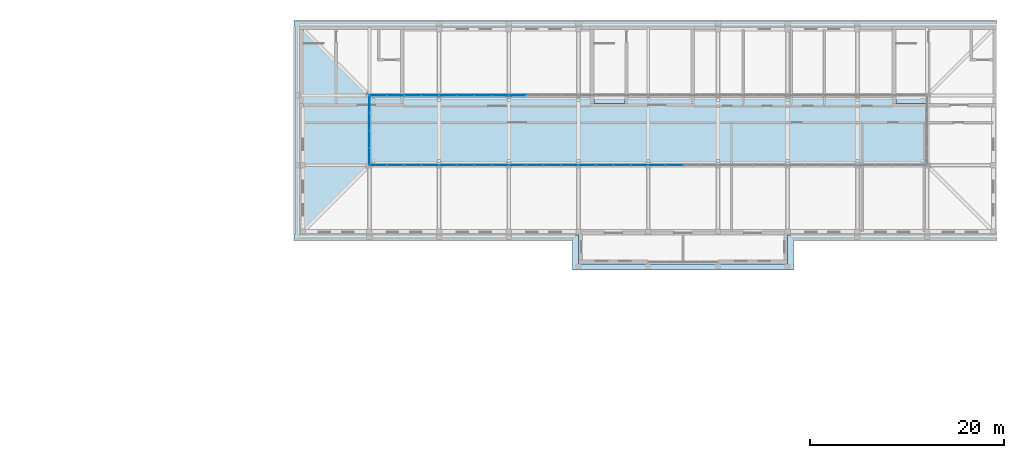
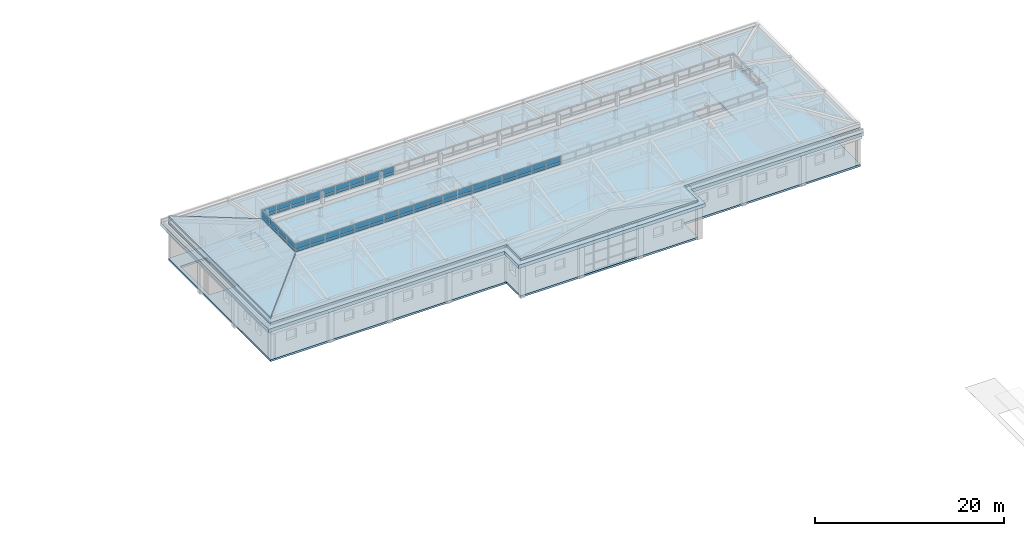
# One storey, part 27 of 48: 62 plates, 4 slabs, 3 elements without a shape of their own.
"""IFC4 building model written with IfcOpenShell, lengths in metres."""

from ifc_helpers import new_model, si_unit, direction, frame, origin, origin_2d, place, context, subcontext, project, spatial, polyline, rectangle, outline, extrude, material, layer, layer_set, type_object, element, aggregate, save


model = new_model("IFC4")

# Units and contexts
model_context = context("Model", 3, precision=1e-05, world=origin(), true_north=direction((0.0, 1.0)))
body_context = subcontext(model_context, "Body", "Model", "MODEL_VIEW")
ifc_project = project(units=[si_unit("LENGTHUNIT", "METRE"), si_unit("AREAUNIT", "SQUARE_METRE"), si_unit("VOLUMEUNIT", "CUBIC_METRE"), si_unit("PLANEANGLEUNIT", "RADIAN"), si_unit("MASSUNIT", "GRAM", prefix="KILO")], contexts=[model_context])

# Site, building, storey
site_placement = place(None, origin())
site = spatial("IfcSite", under=ifc_project, at=site_placement, CompositionType="ELEMENT")
building_placement = place(site_placement, origin())
building = spatial("IfcBuilding", under=site, at=building_placement, Name="Alderwick Market Hall", CompositionType="ELEMENT")
storey_placement = place(building_placement, frame((0.0, 0.0, 14.39990234375)))
storey = spatial("IfcBuildingStorey", under=building, at=storey_placement, Name="L02", CompositionType="ELEMENT", Elevation=14.39990234375)

# Slabs
ifc_material_1 = material(Name="Concrete 4000 psi (f'c 28 MPa)", Category="concrete")
ifc_layer_1 = layer(ifc_material_1, 0.25)
ifc_layer_set_1 = layer_set([ifc_layer_1], Name="Concrete 4000 psi (f'c 28 MPa)")
slab_type_1 = type_object("IfcSlabType", Name="F Attic Deck Slab Concrete 4000 psi 250", PredefinedType="ROOF", material=ifc_layer_set_1)
slab_1_placement = place(storey_placement, frame((0.0, 0.0, 4.550048828125)))
element("IfcSlab", 1, at=slab_1_placement, inside=storey, type_object=slab_type_1, Name="F.deck.L02.01", PredefinedType="ROOF", context=body_context, shape_type="SweptSolid", body=[
    extrude(outline(polyline([(158.39990234375, 129.60009765625), (158.39990234375, 151.199951171875), (230.39990234375, 151.199951171875), (230.39990234375, 129.60009765625), (208.800048828125, 129.60009765625), (208.800048828125, 126.60009765625), (187.199951171875, 126.60009765625), (187.199951171875, 129.60009765625), (158.39990234375, 129.60009765625)])), origin(), (0.0, 0.0, 1.0), 0.25),
])
ifc_material_2 = material(Name="Concrete 5000 psi (f'c 35 MPa)", Category="concrete")
ifc_layer_2 = layer(ifc_material_2, 0.449951171875)
ifc_layer_set_2 = layer_set([ifc_layer_2], Name="Concrete 5000 psi (f'c 35 MPa)")
slab_type_2 = type_object("IfcSlabType", Name="F Cornice Slab Precast Concrete 5000 psi 450", PredefinedType="ROOF", material=ifc_layer_set_2)
slab_2_placement = place(storey_placement, frame((0.0, 0.0, 4.050048828125)))
element("IfcSlab", 2, at=slab_2_placement, inside=storey, type_object=slab_type_2, Name="F.cornice.L02.01", PredefinedType="ROOF", context=body_context, shape_type="SweptSolid", body=[
    extrude(outline(polyline([(209.39990234375, 126.0), (186.60009765625, 126.0), (186.60009765625, 129.0), (157.800048828125, 129.0), (157.800048828125, 151.800048828125), (230.39990234375, 151.800048828125), (230.39990234375, 151.199951171875), (158.39990234375, 151.199951171875), (158.39990234375, 129.60009765625), (186.60009765625, 129.60009765625), (187.199951171875, 129.60009765625), (187.199951171875, 126.60009765625), (208.800048828125, 126.60009765625), (208.800048828125, 129.60009765625), (209.39990234375, 129.60009765625), (230.39990234375, 129.60009765625), (230.39990234375, 129.0), (209.39990234375, 129.0), (209.39990234375, 126.0)])), origin(), (0.0, 0.0, 1.0), 0.449951171875),
])

# Curtain wall, plates
ifc_material_3 = material(Name="F Curtain Wall 1800 module")
curtain_wall_type = type_object("IfcCurtainWallType", Name="F Curtain Wall 1800 module", PredefinedType="NOTDEFINED", material=ifc_material_3)
curtain_wall_1_placement = place(storey_placement, origin())
curtain_wall_1 = element("IfcCurtainWall", 3, at=curtain_wall_1_placement, inside=storey, type_object=curtain_wall_type, Name="F.lantern.L02.s", PredefinedType="NOTDEFINED")
ifc_material_4 = material(Name="Laminated glass 28 mm", Category="glass")
ifc_layer_3 = layer(ifc_material_4, 0.028076171875)
ifc_layer_set_3 = layer_set([ifc_layer_3], Name="Laminated glass 28 mm")
plate_type = type_object("IfcPlateType", Name="F Curtain Wall Glass Panel 28", PredefinedType="CURTAIN_PANEL", material=ifc_layer_set_3)
plate_1_placement = place(storey_placement, frame((166.514892578125, 136.800048828125, 7.01513671875), z_axis=(0.0, 0.0, 1.0), x_axis=(1.0, 0.0, 0.0)))
plate_1 = element("IfcPlate", 4, at=plate_1_placement, type_object=plate_type, Name="F-LCW panel 1.1", PredefinedType="CURTAIN_PANEL", context=body_context, shape_type="SweptSolid", body=[
    extrude(rectangle(XDim=1.7099609375, YDim=0.028076171875, at=origin_2d()), origin(), (0.0, 0.0, 1.0), 0.31005859375),
])
plate_2_placement = place(storey_placement, frame((166.514892578125, 136.800048828125, 7.385009765625), z_axis=(0.0, 0.0, 1.0), x_axis=(1.0, 0.0, 0.0)))
plate_2 = element("IfcPlate", 5, at=plate_2_placement, type_object=plate_type, Name="F-LCW panel 1.2", PredefinedType="CURTAIN_PANEL", context=body_context, shape_type="SweptSolid", body=[
    extrude(rectangle(XDim=1.7099609375, YDim=0.028076171875, at=origin_2d()), origin(), (0.0, 0.0, 1.0), 0.7099609375),
])
plate_3_placement = place(storey_placement, frame((168.300048828125, 136.800048828125, 7.01513671875), z_axis=(0.0, 0.0, 1.0), x_axis=(1.0, 0.0, 0.0)))
plate_3 = element("IfcPlate", 6, at=plate_3_placement, type_object=plate_type, Name="F-LCW panel 2.1", PredefinedType="CURTAIN_PANEL", context=body_context, shape_type="SweptSolid", body=[
    extrude(rectangle(XDim=1.739990234375, YDim=0.028076171875, at=origin_2d()), origin(), (0.0, 0.0, 1.0), 0.31005859375),
])
plate_4_placement = place(storey_placement, frame((168.300048828125, 136.800048828125, 7.385009765625), z_axis=(0.0, 0.0, 1.0), x_axis=(1.0, 0.0, 0.0)))
plate_4 = element("IfcPlate", 7, at=plate_4_placement, type_object=plate_type, Name="F-LCW panel 2.2", PredefinedType="CURTAIN_PANEL", context=body_context, shape_type="SweptSolid", body=[
    extrude(rectangle(XDim=1.739990234375, YDim=0.028076171875, at=origin_2d()), origin(), (0.0, 0.0, 1.0), 0.7099609375),
])
plate_5_placement = place(storey_placement, frame((170.10009765625, 136.800048828125, 7.01513671875), z_axis=(0.0, 0.0, 1.0), x_axis=(1.0, 0.0, 0.0)))
plate_5 = element("IfcPlate", 8, at=plate_5_placement, type_object=plate_type, Name="F-LCW panel 3.1", PredefinedType="CURTAIN_PANEL", context=body_context, shape_type="SweptSolid", body=[
    extrude(rectangle(XDim=1.739990234375, YDim=0.028076171875, at=origin_2d()), origin(), (0.0, 0.0, 1.0), 0.31005859375),
])
plate_6_placement = place(storey_placement, frame((170.10009765625, 136.800048828125, 7.385009765625), z_axis=(0.0, 0.0, 1.0), x_axis=(1.0, 0.0, 0.0)))
plate_6 = element("IfcPlate", 9, at=plate_6_placement, type_object=plate_type, Name="F-LCW panel 3.2", PredefinedType="CURTAIN_PANEL", context=body_context, shape_type="SweptSolid", body=[
    extrude(rectangle(XDim=1.739990234375, YDim=0.028076171875, at=origin_2d()), origin(), (0.0, 0.0, 1.0), 0.7099609375),
])
plate_7_placement = place(storey_placement, frame((171.89990234375, 136.800048828125, 7.01513671875), z_axis=(0.0, 0.0, 1.0), x_axis=(1.0, 0.0, 0.0)))
plate_7 = element("IfcPlate", 10, at=plate_7_placement, type_object=plate_type, Name="F-LCW panel 4.1", PredefinedType="CURTAIN_PANEL", context=body_context, shape_type="SweptSolid", body=[
    extrude(rectangle(XDim=1.739990234375, YDim=0.028076171875, at=origin_2d()), origin(), (0.0, 0.0, 1.0), 0.31005859375),
])
plate_8_placement = place(storey_placement, frame((171.89990234375, 136.800048828125, 7.385009765625), z_axis=(0.0, 0.0, 1.0), x_axis=(1.0, 0.0, 0.0)))
plate_8 = element("IfcPlate", 11, at=plate_8_placement, type_object=plate_type, Name="F-LCW panel 4.2", PredefinedType="CURTAIN_PANEL", context=body_context, shape_type="SweptSolid", body=[
    extrude(rectangle(XDim=1.739990234375, YDim=0.028076171875, at=origin_2d()), origin(), (0.0, 0.0, 1.0), 0.7099609375),
])
plate_9_placement = place(storey_placement, frame((173.699951171875, 136.800048828125, 7.01513671875), z_axis=(0.0, 0.0, 1.0), x_axis=(1.0, 0.0, 0.0)))
plate_9 = element("IfcPlate", 12, at=plate_9_placement, type_object=plate_type, Name="F-LCW panel 5.1", PredefinedType="CURTAIN_PANEL", context=body_context, shape_type="SweptSolid", body=[
    extrude(rectangle(XDim=1.739990234375, YDim=0.028076171875, at=origin_2d()), origin(), (0.0, 0.0, 1.0), 0.31005859375),
])
plate_10_placement = place(storey_placement, frame((173.699951171875, 136.800048828125, 7.385009765625), z_axis=(0.0, 0.0, 1.0), x_axis=(1.0, 0.0, 0.0)))
plate_10 = element("IfcPlate", 13, at=plate_10_placement, type_object=plate_type, Name="F-LCW panel 5.2", PredefinedType="CURTAIN_PANEL", context=body_context, shape_type="SweptSolid", body=[
    extrude(rectangle(XDim=1.739990234375, YDim=0.028076171875, at=origin_2d()), origin(), (0.0, 0.0, 1.0), 0.7099609375),
])
plate_11_placement = place(storey_placement, frame((175.5, 136.800048828125, 7.01513671875), z_axis=(0.0, 0.0, 1.0), x_axis=(1.0, 0.0, 0.0)))
plate_11 = element("IfcPlate", 14, at=plate_11_placement, type_object=plate_type, Name="F-LCW panel 6.1", PredefinedType="CURTAIN_PANEL", context=body_context, shape_type="SweptSolid", body=[
    extrude(rectangle(XDim=1.739990234375, YDim=0.028076171875, at=origin_2d()), origin(), (0.0, 0.0, 1.0), 0.31005859375),
])
plate_12_placement = place(storey_placement, frame((175.5, 136.800048828125, 7.385009765625), z_axis=(0.0, 0.0, 1.0), x_axis=(1.0, 0.0, 0.0)))
plate_12 = element("IfcPlate", 15, at=plate_12_placement, type_object=plate_type, Name="F-LCW panel 6.2", PredefinedType="CURTAIN_PANEL", context=body_context, shape_type="SweptSolid", body=[
    extrude(rectangle(XDim=1.739990234375, YDim=0.028076171875, at=origin_2d()), origin(), (0.0, 0.0, 1.0), 0.7099609375),
])
plate_13_placement = place(storey_placement, frame((177.300048828125, 136.800048828125, 7.01513671875), z_axis=(0.0, 0.0, 1.0), x_axis=(1.0, 0.0, 0.0)))
plate_13 = element("IfcPlate", 16, at=plate_13_placement, type_object=plate_type, Name="F-LCW panel 7.1", PredefinedType="CURTAIN_PANEL", context=body_context, shape_type="SweptSolid", body=[
    extrude(rectangle(XDim=1.739990234375, YDim=0.028076171875, at=origin_2d()), origin(), (0.0, 0.0, 1.0), 0.31005859375),
])
plate_14_placement = place(storey_placement, frame((177.300048828125, 136.800048828125, 7.385009765625), z_axis=(0.0, 0.0, 1.0), x_axis=(1.0, 0.0, 0.0)))
plate_14 = element("IfcPlate", 17, at=plate_14_placement, type_object=plate_type, Name="F-LCW panel 7.2", PredefinedType="CURTAIN_PANEL", context=body_context, shape_type="SweptSolid", body=[
    extrude(rectangle(XDim=1.739990234375, YDim=0.028076171875, at=origin_2d()), origin(), (0.0, 0.0, 1.0), 0.7099609375),
])
plate_15_placement = place(storey_placement, frame((179.10009765625, 136.800048828125, 7.01513671875), z_axis=(0.0, 0.0, 1.0), x_axis=(1.0, 0.0, 0.0)))
plate_15 = element("IfcPlate", 18, at=plate_15_placement, type_object=plate_type, Name="F-LCW panel 8.1", PredefinedType="CURTAIN_PANEL", context=body_context, shape_type="SweptSolid", body=[
    extrude(rectangle(XDim=1.739990234375, YDim=0.028076171875, at=origin_2d()), origin(), (0.0, 0.0, 1.0), 0.31005859375),
])
plate_16_placement = place(storey_placement, frame((179.10009765625, 136.800048828125, 7.385009765625), z_axis=(0.0, 0.0, 1.0), x_axis=(1.0, 0.0, 0.0)))
plate_16 = element("IfcPlate", 19, at=plate_16_placement, type_object=plate_type, Name="F-LCW panel 8.2", PredefinedType="CURTAIN_PANEL", context=body_context, shape_type="SweptSolid", body=[
    extrude(rectangle(XDim=1.739990234375, YDim=0.028076171875, at=origin_2d()), origin(), (0.0, 0.0, 1.0), 0.7099609375),
])
plate_17_placement = place(storey_placement, frame((180.89990234375, 136.800048828125, 7.01513671875), z_axis=(0.0, 0.0, 1.0), x_axis=(1.0, 0.0, 0.0)))
plate_17 = element("IfcPlate", 20, at=plate_17_placement, type_object=plate_type, Name="F-LCW panel 9.1", PredefinedType="CURTAIN_PANEL", context=body_context, shape_type="SweptSolid", body=[
    extrude(rectangle(XDim=1.739990234375, YDim=0.028076171875, at=origin_2d()), origin(), (0.0, 0.0, 1.0), 0.31005859375),
])
plate_18_placement = place(storey_placement, frame((180.89990234375, 136.800048828125, 7.385009765625), z_axis=(0.0, 0.0, 1.0), x_axis=(1.0, 0.0, 0.0)))
plate_18 = element("IfcPlate", 21, at=plate_18_placement, type_object=plate_type, Name="F-LCW panel 9.2", PredefinedType="CURTAIN_PANEL", context=body_context, shape_type="SweptSolid", body=[
    extrude(rectangle(XDim=1.739990234375, YDim=0.028076171875, at=origin_2d()), origin(), (0.0, 0.0, 1.0), 0.7099609375),
])
plate_19_placement = place(storey_placement, frame((182.699951171875, 136.800048828125, 7.01513671875), z_axis=(0.0, 0.0, 1.0), x_axis=(1.0, 0.0, 0.0)))
plate_19 = element("IfcPlate", 22, at=plate_19_placement, type_object=plate_type, Name="F-LCW panel 10.1", PredefinedType="CURTAIN_PANEL", context=body_context, shape_type="SweptSolid", body=[
    extrude(rectangle(XDim=1.739990234375, YDim=0.028076171875, at=origin_2d()), origin(), (0.0, 0.0, 1.0), 0.31005859375),
])
plate_20_placement = place(storey_placement, frame((182.699951171875, 136.800048828125, 7.385009765625), z_axis=(0.0, 0.0, 1.0), x_axis=(1.0, 0.0, 0.0)))
plate_20 = element("IfcPlate", 23, at=plate_20_placement, type_object=plate_type, Name="F-LCW panel 10.2", PredefinedType="CURTAIN_PANEL", context=body_context, shape_type="SweptSolid", body=[
    extrude(rectangle(XDim=1.739990234375, YDim=0.028076171875, at=origin_2d()), origin(), (0.0, 0.0, 1.0), 0.7099609375),
])
plate_21_placement = place(storey_placement, frame((184.5, 136.800048828125, 7.01513671875), z_axis=(0.0, 0.0, 1.0), x_axis=(1.0, 0.0, 0.0)))
plate_21 = element("IfcPlate", 24, at=plate_21_placement, type_object=plate_type, Name="F-LCW panel 11.1", PredefinedType="CURTAIN_PANEL", context=body_context, shape_type="SweptSolid", body=[
    extrude(rectangle(XDim=1.739990234375, YDim=0.028076171875, at=origin_2d()), origin(), (0.0, 0.0, 1.0), 0.31005859375),
])
plate_22_placement = place(storey_placement, frame((184.5, 136.800048828125, 7.385009765625), z_axis=(0.0, 0.0, 1.0), x_axis=(1.0, 0.0, 0.0)))
plate_22 = element("IfcPlate", 25, at=plate_22_placement, type_object=plate_type, Name="F-LCW panel 11.2", PredefinedType="CURTAIN_PANEL", context=body_context, shape_type="SweptSolid", body=[
    extrude(rectangle(XDim=1.739990234375, YDim=0.028076171875, at=origin_2d()), origin(), (0.0, 0.0, 1.0), 0.7099609375),
])
plate_23_placement = place(storey_placement, frame((186.300048828125, 136.800048828125, 7.01513671875), z_axis=(0.0, 0.0, 1.0), x_axis=(1.0, 0.0, 0.0)))
plate_23 = element("IfcPlate", 26, at=plate_23_placement, type_object=plate_type, Name="F-LCW panel 12.1", PredefinedType="CURTAIN_PANEL", context=body_context, shape_type="SweptSolid", body=[
    extrude(rectangle(XDim=1.739990234375, YDim=0.028076171875, at=origin_2d()), origin(), (0.0, 0.0, 1.0), 0.31005859375),
])
plate_24_placement = place(storey_placement, frame((186.300048828125, 136.800048828125, 7.385009765625), z_axis=(0.0, 0.0, 1.0), x_axis=(1.0, 0.0, 0.0)))
plate_24 = element("IfcPlate", 27, at=plate_24_placement, type_object=plate_type, Name="F-LCW panel 12.2", PredefinedType="CURTAIN_PANEL", context=body_context, shape_type="SweptSolid", body=[
    extrude(rectangle(XDim=1.739990234375, YDim=0.028076171875, at=origin_2d()), origin(), (0.0, 0.0, 1.0), 0.7099609375),
])
plate_25_placement = place(storey_placement, frame((188.10009765625, 136.800048828125, 7.01513671875), z_axis=(0.0, 0.0, 1.0), x_axis=(1.0, 0.0, 0.0)))
plate_25 = element("IfcPlate", 28, at=plate_25_placement, type_object=plate_type, Name="F-LCW panel 13.1", PredefinedType="CURTAIN_PANEL", context=body_context, shape_type="SweptSolid", body=[
    extrude(rectangle(XDim=1.739990234375, YDim=0.028076171875, at=origin_2d()), origin(), (0.0, 0.0, 1.0), 0.31005859375),
])
plate_26_placement = place(storey_placement, frame((188.10009765625, 136.800048828125, 7.385009765625), z_axis=(0.0, 0.0, 1.0), x_axis=(1.0, 0.0, 0.0)))
plate_26 = element("IfcPlate", 29, at=plate_26_placement, type_object=plate_type, Name="F-LCW panel 13.2", PredefinedType="CURTAIN_PANEL", context=body_context, shape_type="SweptSolid", body=[
    extrude(rectangle(XDim=1.739990234375, YDim=0.028076171875, at=origin_2d()), origin(), (0.0, 0.0, 1.0), 0.7099609375),
])
plate_27_placement = place(storey_placement, frame((189.89990234375, 136.800048828125, 7.01513671875), z_axis=(0.0, 0.0, 1.0), x_axis=(1.0, 0.0, 0.0)))
plate_27 = element("IfcPlate", 30, at=plate_27_placement, type_object=plate_type, Name="F-LCW panel 14.1", PredefinedType="CURTAIN_PANEL", context=body_context, shape_type="SweptSolid", body=[
    extrude(rectangle(XDim=1.739990234375, YDim=0.028076171875, at=origin_2d()), origin(), (0.0, 0.0, 1.0), 0.31005859375),
])
plate_28_placement = place(storey_placement, frame((189.89990234375, 136.800048828125, 7.385009765625), z_axis=(0.0, 0.0, 1.0), x_axis=(1.0, 0.0, 0.0)))
plate_28 = element("IfcPlate", 31, at=plate_28_placement, type_object=plate_type, Name="F-LCW panel 14.2", PredefinedType="CURTAIN_PANEL", context=body_context, shape_type="SweptSolid", body=[
    extrude(rectangle(XDim=1.739990234375, YDim=0.028076171875, at=origin_2d()), origin(), (0.0, 0.0, 1.0), 0.7099609375),
])
plate_29_placement = place(storey_placement, frame((191.699951171875, 136.800048828125, 7.01513671875), z_axis=(0.0, 0.0, 1.0), x_axis=(1.0, 0.0, 0.0)))
plate_29 = element("IfcPlate", 32, at=plate_29_placement, type_object=plate_type, Name="F-LCW panel 15.1", PredefinedType="CURTAIN_PANEL", context=body_context, shape_type="SweptSolid", body=[
    extrude(rectangle(XDim=1.739990234375, YDim=0.028076171875, at=origin_2d()), origin(), (0.0, 0.0, 1.0), 0.31005859375),
])
plate_30_placement = place(storey_placement, frame((191.699951171875, 136.800048828125, 7.385009765625), z_axis=(0.0, 0.0, 1.0), x_axis=(1.0, 0.0, 0.0)))
plate_30 = element("IfcPlate", 33, at=plate_30_placement, type_object=plate_type, Name="F-LCW panel 15.2", PredefinedType="CURTAIN_PANEL", context=body_context, shape_type="SweptSolid", body=[
    extrude(rectangle(XDim=1.739990234375, YDim=0.028076171875, at=origin_2d()), origin(), (0.0, 0.0, 1.0), 0.7099609375),
])
plate_31_placement = place(storey_placement, frame((193.5, 136.800048828125, 7.01513671875), z_axis=(0.0, 0.0, 1.0), x_axis=(1.0, 0.0, 0.0)))
plate_31 = element("IfcPlate", 34, at=plate_31_placement, type_object=plate_type, Name="F-LCW panel 16.1", PredefinedType="CURTAIN_PANEL", context=body_context, shape_type="SweptSolid", body=[
    extrude(rectangle(XDim=1.739990234375, YDim=0.028076171875, at=origin_2d()), origin(), (0.0, 0.0, 1.0), 0.31005859375),
])
plate_32_placement = place(storey_placement, frame((193.5, 136.800048828125, 7.385009765625), z_axis=(0.0, 0.0, 1.0), x_axis=(1.0, 0.0, 0.0)))
plate_32 = element("IfcPlate", 35, at=plate_32_placement, type_object=plate_type, Name="F-LCW panel 16.2", PredefinedType="CURTAIN_PANEL", context=body_context, shape_type="SweptSolid", body=[
    extrude(rectangle(XDim=1.739990234375, YDim=0.028076171875, at=origin_2d()), origin(), (0.0, 0.0, 1.0), 0.7099609375),
])
plate_33_placement = place(storey_placement, frame((195.300048828125, 136.800048828125, 7.01513671875), z_axis=(0.0, 0.0, 1.0), x_axis=(1.0, 0.0, 0.0)))
plate_33 = element("IfcPlate", 36, at=plate_33_placement, type_object=plate_type, Name="F-LCW panel 17.1", PredefinedType="CURTAIN_PANEL", context=body_context, shape_type="SweptSolid", body=[
    extrude(rectangle(XDim=1.739990234375, YDim=0.028076171875, at=origin_2d()), origin(), (0.0, 0.0, 1.0), 0.31005859375),
])
plate_34_placement = place(storey_placement, frame((195.300048828125, 136.800048828125, 7.385009765625), z_axis=(0.0, 0.0, 1.0), x_axis=(1.0, 0.0, 0.0)))
plate_34 = element("IfcPlate", 37, at=plate_34_placement, type_object=plate_type, Name="F-LCW panel 17.2", PredefinedType="CURTAIN_PANEL", context=body_context, shape_type="SweptSolid", body=[
    extrude(rectangle(XDim=1.739990234375, YDim=0.028076171875, at=origin_2d()), origin(), (0.0, 0.0, 1.0), 0.7099609375),
])
plate_35_placement = place(storey_placement, frame((197.10009765625, 136.800048828125, 7.01513671875), z_axis=(0.0, 0.0, 1.0), x_axis=(1.0, 0.0, 0.0)))
plate_35 = element("IfcPlate", 38, at=plate_35_placement, type_object=plate_type, Name="F-LCW panel 18.1", PredefinedType="CURTAIN_PANEL", context=body_context, shape_type="SweptSolid", body=[
    extrude(rectangle(XDim=1.739990234375, YDim=0.028076171875, at=origin_2d()), origin(), (0.0, 0.0, 1.0), 0.31005859375),
])
plate_36_placement = place(storey_placement, frame((197.10009765625, 136.800048828125, 7.385009765625), z_axis=(0.0, 0.0, 1.0), x_axis=(1.0, 0.0, 0.0)))
plate_36 = element("IfcPlate", 39, at=plate_36_placement, type_object=plate_type, Name="F-LCW panel 18.2", PredefinedType="CURTAIN_PANEL", context=body_context, shape_type="SweptSolid", body=[
    extrude(rectangle(XDim=1.739990234375, YDim=0.028076171875, at=origin_2d()), origin(), (0.0, 0.0, 1.0), 0.7099609375),
])
aggregate(curtain_wall_1, [plate_1, plate_2, plate_3, plate_4, plate_5, plate_6, plate_7, plate_8, plate_9, plate_10, plate_11, plate_12, plate_13, plate_14, plate_15, plate_16, plate_17, plate_18, plate_19, plate_20, plate_21, plate_22, plate_23, plate_24, plate_25, plate_26, plate_27, plate_28, plate_29, plate_30, plate_31, plate_32, plate_33, plate_34, plate_35, plate_36])

curtain_wall_2_placement = place(storey_placement, origin())
curtain_wall_2 = element("IfcCurtainWall", 40, at=curtain_wall_2_placement, inside=storey, type_object=curtain_wall_type, Name="F.lantern.L02.n", PredefinedType="NOTDEFINED")
plate_37_placement = place(storey_placement, frame((166.514892578125, 144.0, 7.01513671875), z_axis=(0.0, 0.0, 1.0), x_axis=(1.0, 0.0, 0.0)))
plate_37 = element("IfcPlate", 41, at=plate_37_placement, type_object=plate_type, Name="F-LCW panel 1.1", PredefinedType="CURTAIN_PANEL", context=body_context, shape_type="SweptSolid", body=[
    extrude(rectangle(XDim=1.7099609375, YDim=0.028076171875, at=origin_2d()), origin(), (0.0, 0.0, 1.0), 0.31005859375),
])
plate_38_placement = place(storey_placement, frame((166.514892578125, 144.0, 7.385009765625), z_axis=(0.0, 0.0, 1.0), x_axis=(1.0, 0.0, 0.0)))
plate_38 = element("IfcPlate", 42, at=plate_38_placement, type_object=plate_type, Name="F-LCW panel 1.2", PredefinedType="CURTAIN_PANEL", context=body_context, shape_type="SweptSolid", body=[
    extrude(rectangle(XDim=1.7099609375, YDim=0.028076171875, at=origin_2d()), origin(), (0.0, 0.0, 1.0), 0.7099609375),
])
plate_39_placement = place(storey_placement, frame((168.300048828125, 144.0, 7.01513671875), z_axis=(0.0, 0.0, 1.0), x_axis=(1.0, 0.0, 0.0)))
plate_39 = element("IfcPlate", 43, at=plate_39_placement, type_object=plate_type, Name="F-LCW panel 2.1", PredefinedType="CURTAIN_PANEL", context=body_context, shape_type="SweptSolid", body=[
    extrude(rectangle(XDim=1.739990234375, YDim=0.028076171875, at=origin_2d()), origin(), (0.0, 0.0, 1.0), 0.31005859375),
])
plate_40_placement = place(storey_placement, frame((168.300048828125, 144.0, 7.385009765625), z_axis=(0.0, 0.0, 1.0), x_axis=(1.0, 0.0, 0.0)))
plate_40 = element("IfcPlate", 44, at=plate_40_placement, type_object=plate_type, Name="F-LCW panel 2.2", PredefinedType="CURTAIN_PANEL", context=body_context, shape_type="SweptSolid", body=[
    extrude(rectangle(XDim=1.739990234375, YDim=0.028076171875, at=origin_2d()), origin(), (0.0, 0.0, 1.0), 0.7099609375),
])
plate_41_placement = place(storey_placement, frame((170.10009765625, 144.0, 7.01513671875), z_axis=(0.0, 0.0, 1.0), x_axis=(1.0, 0.0, 0.0)))
plate_41 = element("IfcPlate", 45, at=plate_41_placement, type_object=plate_type, Name="F-LCW panel 3.1", PredefinedType="CURTAIN_PANEL", context=body_context, shape_type="SweptSolid", body=[
    extrude(rectangle(XDim=1.739990234375, YDim=0.028076171875, at=origin_2d()), origin(), (0.0, 0.0, 1.0), 0.31005859375),
])
plate_42_placement = place(storey_placement, frame((170.10009765625, 144.0, 7.385009765625), z_axis=(0.0, 0.0, 1.0), x_axis=(1.0, 0.0, 0.0)))
plate_42 = element("IfcPlate", 46, at=plate_42_placement, type_object=plate_type, Name="F-LCW panel 3.2", PredefinedType="CURTAIN_PANEL", context=body_context, shape_type="SweptSolid", body=[
    extrude(rectangle(XDim=1.739990234375, YDim=0.028076171875, at=origin_2d()), origin(), (0.0, 0.0, 1.0), 0.7099609375),
])
plate_43_placement = place(storey_placement, frame((171.89990234375, 144.0, 7.01513671875), z_axis=(0.0, 0.0, 1.0), x_axis=(1.0, 0.0, 0.0)))
plate_43 = element("IfcPlate", 47, at=plate_43_placement, type_object=plate_type, Name="F-LCW panel 4.1", PredefinedType="CURTAIN_PANEL", context=body_context, shape_type="SweptSolid", body=[
    extrude(rectangle(XDim=1.739990234375, YDim=0.028076171875, at=origin_2d()), origin(), (0.0, 0.0, 1.0), 0.31005859375),
])
plate_44_placement = place(storey_placement, frame((171.89990234375, 144.0, 7.385009765625), z_axis=(0.0, 0.0, 1.0), x_axis=(1.0, 0.0, 0.0)))
plate_44 = element("IfcPlate", 48, at=plate_44_placement, type_object=plate_type, Name="F-LCW panel 4.2", PredefinedType="CURTAIN_PANEL", context=body_context, shape_type="SweptSolid", body=[
    extrude(rectangle(XDim=1.739990234375, YDim=0.028076171875, at=origin_2d()), origin(), (0.0, 0.0, 1.0), 0.7099609375),
])
plate_45_placement = place(storey_placement, frame((173.699951171875, 144.0, 7.01513671875), z_axis=(0.0, 0.0, 1.0), x_axis=(1.0, 0.0, 0.0)))
plate_45 = element("IfcPlate", 49, at=plate_45_placement, type_object=plate_type, Name="F-LCW panel 5.1", PredefinedType="CURTAIN_PANEL", context=body_context, shape_type="SweptSolid", body=[
    extrude(rectangle(XDim=1.739990234375, YDim=0.028076171875, at=origin_2d()), origin(), (0.0, 0.0, 1.0), 0.31005859375),
])
plate_46_placement = place(storey_placement, frame((173.699951171875, 144.0, 7.385009765625), z_axis=(0.0, 0.0, 1.0), x_axis=(1.0, 0.0, 0.0)))
plate_46 = element("IfcPlate", 50, at=plate_46_placement, type_object=plate_type, Name="F-LCW panel 5.2", PredefinedType="CURTAIN_PANEL", context=body_context, shape_type="SweptSolid", body=[
    extrude(rectangle(XDim=1.739990234375, YDim=0.028076171875, at=origin_2d()), origin(), (0.0, 0.0, 1.0), 0.7099609375),
])
plate_47_placement = place(storey_placement, frame((175.5, 144.0, 7.01513671875), z_axis=(0.0, 0.0, 1.0), x_axis=(1.0, 0.0, 0.0)))
plate_47 = element("IfcPlate", 51, at=plate_47_placement, type_object=plate_type, Name="F-LCW panel 6.1", PredefinedType="CURTAIN_PANEL", context=body_context, shape_type="SweptSolid", body=[
    extrude(rectangle(XDim=1.739990234375, YDim=0.028076171875, at=origin_2d()), origin(), (0.0, 0.0, 1.0), 0.31005859375),
])
plate_48_placement = place(storey_placement, frame((175.5, 144.0, 7.385009765625), z_axis=(0.0, 0.0, 1.0), x_axis=(1.0, 0.0, 0.0)))
plate_48 = element("IfcPlate", 52, at=plate_48_placement, type_object=plate_type, Name="F-LCW panel 6.2", PredefinedType="CURTAIN_PANEL", context=body_context, shape_type="SweptSolid", body=[
    extrude(rectangle(XDim=1.739990234375, YDim=0.028076171875, at=origin_2d()), origin(), (0.0, 0.0, 1.0), 0.7099609375),
])
plate_49_placement = place(storey_placement, frame((177.300048828125, 144.0, 7.01513671875), z_axis=(0.0, 0.0, 1.0), x_axis=(1.0, 0.0, 0.0)))
plate_49 = element("IfcPlate", 53, at=plate_49_placement, type_object=plate_type, Name="F-LCW panel 7.1", PredefinedType="CURTAIN_PANEL", context=body_context, shape_type="SweptSolid", body=[
    extrude(rectangle(XDim=1.739990234375, YDim=0.028076171875, at=origin_2d()), origin(), (0.0, 0.0, 1.0), 0.31005859375),
])
plate_50_placement = place(storey_placement, frame((177.300048828125, 144.0, 7.385009765625), z_axis=(0.0, 0.0, 1.0), x_axis=(1.0, 0.0, 0.0)))
plate_50 = element("IfcPlate", 54, at=plate_50_placement, type_object=plate_type, Name="F-LCW panel 7.2", PredefinedType="CURTAIN_PANEL", context=body_context, shape_type="SweptSolid", body=[
    extrude(rectangle(XDim=1.739990234375, YDim=0.028076171875, at=origin_2d()), origin(), (0.0, 0.0, 1.0), 0.7099609375),
])
plate_51_placement = place(storey_placement, frame((179.10009765625, 144.0, 7.01513671875), z_axis=(0.0, 0.0, 1.0), x_axis=(1.0, 0.0, 0.0)))
plate_51 = element("IfcPlate", 55, at=plate_51_placement, type_object=plate_type, Name="F-LCW panel 8.1", PredefinedType="CURTAIN_PANEL", context=body_context, shape_type="SweptSolid", body=[
    extrude(rectangle(XDim=1.739990234375, YDim=0.028076171875, at=origin_2d()), origin(), (0.0, 0.0, 1.0), 0.31005859375),
])
plate_52_placement = place(storey_placement, frame((179.10009765625, 144.0, 7.385009765625), z_axis=(0.0, 0.0, 1.0), x_axis=(1.0, 0.0, 0.0)))
plate_52 = element("IfcPlate", 56, at=plate_52_placement, type_object=plate_type, Name="F-LCW panel 8.2", PredefinedType="CURTAIN_PANEL", context=body_context, shape_type="SweptSolid", body=[
    extrude(rectangle(XDim=1.739990234375, YDim=0.028076171875, at=origin_2d()), origin(), (0.0, 0.0, 1.0), 0.7099609375),
])
plate_53_placement = place(storey_placement, frame((180.89990234375, 144.0, 7.01513671875), z_axis=(0.0, 0.0, 1.0), x_axis=(1.0, 0.0, 0.0)))
plate_53 = element("IfcPlate", 57, at=plate_53_placement, type_object=plate_type, Name="F-LCW panel 9.1", PredefinedType="CURTAIN_PANEL", context=body_context, shape_type="SweptSolid", body=[
    extrude(rectangle(XDim=1.739990234375, YDim=0.028076171875, at=origin_2d()), origin(), (0.0, 0.0, 1.0), 0.31005859375),
])
plate_54_placement = place(storey_placement, frame((180.89990234375, 144.0, 7.385009765625), z_axis=(0.0, 0.0, 1.0), x_axis=(1.0, 0.0, 0.0)))
plate_54 = element("IfcPlate", 58, at=plate_54_placement, type_object=plate_type, Name="F-LCW panel 9.2", PredefinedType="CURTAIN_PANEL", context=body_context, shape_type="SweptSolid", body=[
    extrude(rectangle(XDim=1.739990234375, YDim=0.028076171875, at=origin_2d()), origin(), (0.0, 0.0, 1.0), 0.7099609375),
])
aggregate(curtain_wall_2, [plate_37, plate_38, plate_39, plate_40, plate_41, plate_42, plate_43, plate_44, plate_45, plate_46, plate_47, plate_48, plate_49, plate_50, plate_51, plate_52, plate_53, plate_54])

curtain_wall_3_placement = place(storey_placement, origin())
curtain_wall_3 = element("IfcCurtainWall", 59, at=curtain_wall_3_placement, inside=storey, type_object=curtain_wall_type, Name="F.lantern.L02.w", PredefinedType="NOTDEFINED")
plate_55_placement = place(storey_placement, frame((165.60009765625, 137.715087890625, 7.01513671875), z_axis=(0.0, 0.0, 1.0), x_axis=(0.0, 1.0, 0.0)))
plate_55 = element("IfcPlate", 60, at=plate_55_placement, type_object=plate_type, Name="F-LCW panel 1.1", PredefinedType="CURTAIN_PANEL", context=body_context, shape_type="SweptSolid", body=[
    extrude(rectangle(XDim=1.7099609375, YDim=0.028076171875, at=origin_2d()), origin(), (0.0, 0.0, 1.0), 0.31005859375),
])
plate_56_placement = place(storey_placement, frame((165.60009765625, 137.715087890625, 7.385009765625), z_axis=(0.0, 0.0, 1.0), x_axis=(0.0, 1.0, 0.0)))
plate_56 = element("IfcPlate", 61, at=plate_56_placement, type_object=plate_type, Name="F-LCW panel 1.2", PredefinedType="CURTAIN_PANEL", context=body_context, shape_type="SweptSolid", body=[
    extrude(rectangle(XDim=1.7099609375, YDim=0.028076171875, at=origin_2d()), origin(), (0.0, 0.0, 1.0), 0.7099609375),
])
plate_57_placement = place(storey_placement, frame((165.60009765625, 139.5, 7.01513671875), z_axis=(0.0, 0.0, 1.0), x_axis=(0.0, 1.0, 0.0)))
plate_57 = element("IfcPlate", 62, at=plate_57_placement, type_object=plate_type, Name="F-LCW panel 2.1", PredefinedType="CURTAIN_PANEL", context=body_context, shape_type="SweptSolid", body=[
    extrude(rectangle(XDim=1.739990234375, YDim=0.028076171875, at=origin_2d()), origin(), (0.0, 0.0, 1.0), 0.31005859375),
])
plate_58_placement = place(storey_placement, frame((165.60009765625, 139.5, 7.385009765625), z_axis=(0.0, 0.0, 1.0), x_axis=(0.0, 1.0, 0.0)))
plate_58 = element("IfcPlate", 63, at=plate_58_placement, type_object=plate_type, Name="F-LCW panel 2.2", PredefinedType="CURTAIN_PANEL", context=body_context, shape_type="SweptSolid", body=[
    extrude(rectangle(XDim=1.739990234375, YDim=0.028076171875, at=origin_2d()), origin(), (0.0, 0.0, 1.0), 0.7099609375),
])
plate_59_placement = place(storey_placement, frame((165.60009765625, 141.300048828125, 7.01513671875), z_axis=(0.0, 0.0, 1.0), x_axis=(0.0, 1.0, 0.0)))
plate_59 = element("IfcPlate", 64, at=plate_59_placement, type_object=plate_type, Name="F-LCW panel 3.1", PredefinedType="CURTAIN_PANEL", context=body_context, shape_type="SweptSolid", body=[
    extrude(rectangle(XDim=1.739990234375, YDim=0.028076171875, at=origin_2d()), origin(), (0.0, 0.0, 1.0), 0.31005859375),
])
plate_60_placement = place(storey_placement, frame((165.60009765625, 141.300048828125, 7.385009765625), z_axis=(0.0, 0.0, 1.0), x_axis=(0.0, 1.0, 0.0)))
plate_60 = element("IfcPlate", 65, at=plate_60_placement, type_object=plate_type, Name="F-LCW panel 3.2", PredefinedType="CURTAIN_PANEL", context=body_context, shape_type="SweptSolid", body=[
    extrude(rectangle(XDim=1.739990234375, YDim=0.028076171875, at=origin_2d()), origin(), (0.0, 0.0, 1.0), 0.7099609375),
])
plate_61_placement = place(storey_placement, frame((165.60009765625, 143.0849609375, 7.01513671875), z_axis=(0.0, 0.0, 1.0), x_axis=(0.0, 1.0, 0.0)))
plate_61 = element("IfcPlate", 66, at=plate_61_placement, type_object=plate_type, Name="F-LCW panel 4.1", PredefinedType="CURTAIN_PANEL", context=body_context, shape_type="SweptSolid", body=[
    extrude(rectangle(XDim=1.7099609375, YDim=0.028076171875, at=origin_2d()), origin(), (0.0, 0.0, 1.0), 0.31005859375),
])
plate_62_placement = place(storey_placement, frame((165.60009765625, 143.0849609375, 7.385009765625), z_axis=(0.0, 0.0, 1.0), x_axis=(0.0, 1.0, 0.0)))
plate_62 = element("IfcPlate", 67, at=plate_62_placement, type_object=plate_type, Name="F-LCW panel 4.2", PredefinedType="CURTAIN_PANEL", context=body_context, shape_type="SweptSolid", body=[
    extrude(rectangle(XDim=1.7099609375, YDim=0.028076171875, at=origin_2d()), origin(), (0.0, 0.0, 1.0), 0.7099609375),
])
aggregate(curtain_wall_3, [plate_55, plate_56, plate_57, plate_58, plate_59, plate_60, plate_61, plate_62])

# Slabs
ifc_layer_4 = layer(ifc_material_1, 0.25)
ifc_layer_set_4 = layer_set([ifc_layer_4], Name="Concrete 4000 psi (f'c 28 MPa)")
slab_type_3 = type_object("IfcSlabType", Name="F Floor Slab Concrete 4000 psi 250", PredefinedType="FLOOR", material=ifc_layer_set_4)
slab_3_placement = place(storey_placement, frame((0.0, 0.0, -0.25)))
element("IfcSlab", 68, at=slab_3_placement, inside=storey, type_object=slab_type_3, Name="F.slab.L02.01", PredefinedType="FLOOR", context=body_context, shape_type="SweptSolid", body=[
    extrude(outline(polyline([(158.39990234375, 129.60009765625), (158.39990234375, 151.199951171875), (230.39990234375, 151.199951171875), (230.39990234375, 129.60009765625), (208.800048828125, 129.60009765625), (208.800048828125, 126.60009765625), (187.199951171875, 126.60009765625), (187.199951171875, 129.60009765625), (158.39990234375, 129.60009765625)]), holes=[polyline([(158.800048828125, 143.199951171875), (162.0, 143.199951171875), (162.0, 149.2900390625), (158.800048828125, 149.2900390625), (158.800048828125, 143.199951171875)]), polyline([(166.699951171875, 147.800048828125), (168.800048828125, 147.800048828125), (168.800048828125, 150.800048828125), (166.699951171875, 150.800048828125), (166.699951171875, 147.800048828125)]), polyline([(188.800048828125, 143.199951171875), (192.0, 143.199951171875), (192.0, 149.2900390625), (188.800048828125, 149.2900390625), (188.800048828125, 143.199951171875)]), polyline([(220.0, 143.199951171875), (223.199951171875, 143.199951171875), (223.199951171875, 149.2900390625), (220.0, 149.2900390625), (220.0, 143.199951171875)]), polyline([(227.89990234375, 147.800048828125), (230.0, 147.800048828125), (230.0, 150.800048828125), (227.89990234375, 150.800048828125), (227.89990234375, 147.800048828125)])]), origin(), (0.0, 0.0, 1.0), 0.25),
])
ifc_layer_5 = layer(ifc_material_2, 0.25)
ifc_layer_set_5 = layer_set([ifc_layer_5], Name="Concrete 5000 psi (f'c 35 MPa)")
slab_type_4 = type_object("IfcSlabType", Name="F Mansard Roof Slab Concrete 5000 psi 250", PredefinedType="ROOF", material=ifc_layer_set_5)
slab_4_placement = place(storey_placement, frame((158.39990234375, 129.60009765625, 5.505126953125), z_axis=(-0.197413610093, 0.0, 0.980320287738), x_axis=(0.0, 1.0, 0.0)))
element("IfcSlab", 69, at=slab_4_placement, inside=storey, type_object=slab_type_4, Name="F.roofslab.L02.west", PredefinedType="ROOF", context=body_context, shape_type="SweptSolid", body=[
    extrude(outline(polyline([(0.0, 0.0), (21.599853515625, 0.0), (14.39990234375, -7.344737635815773), (7.199951171875, -7.344737635815773), (0.0, 0.0)])), origin(), (0.0, 0.0, -1.0), 0.25),
])

save(model, "model.ifc")
